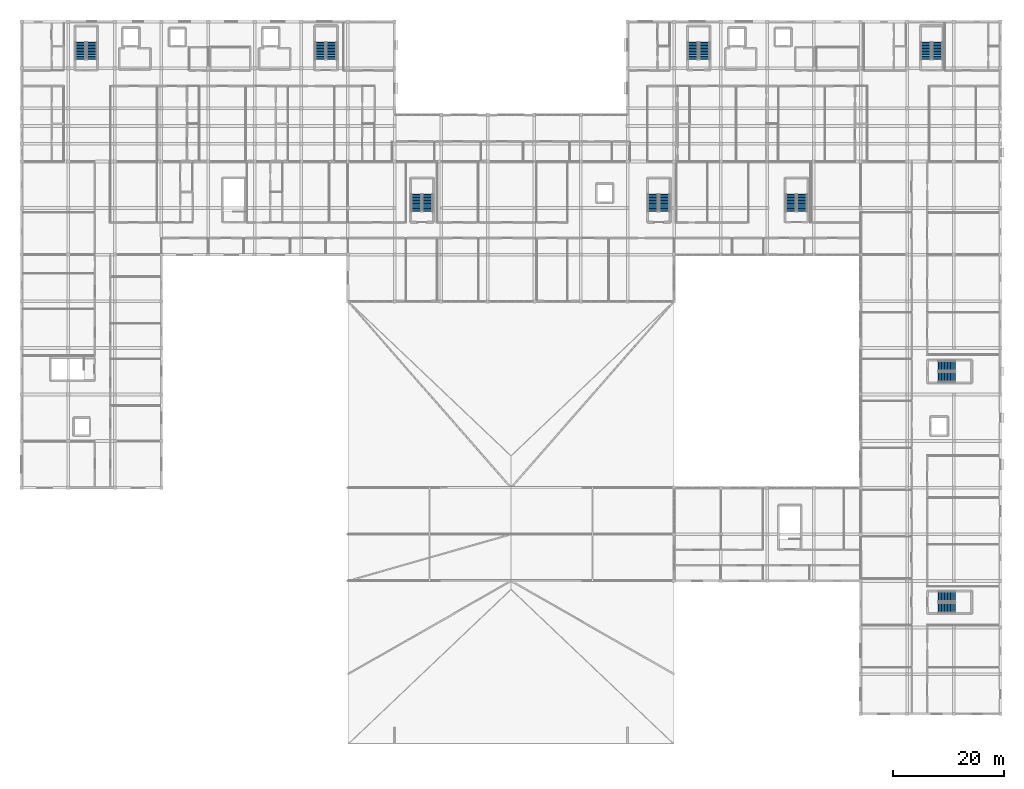
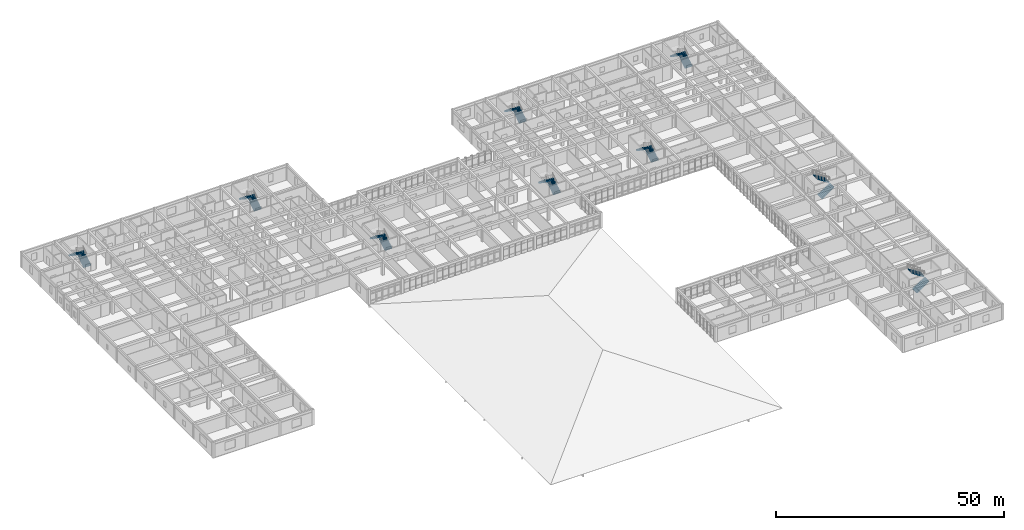
# One storey, part 63 of 77: 18 stair flights, 9 elements without a shape of their own.
"""IFC4 building model written with IfcOpenShell, lengths in metres."""

from ifc_helpers import new_model, si_unit, direction, frame, origin, place, context, subcontext, project, spatial, polyline, outline, extrude, material, type_object, element, aggregate, save


model = new_model("IFC4")

# Units and contexts
model_context = context("Model", 3, precision=1e-05, world=origin(), true_north=direction((0.0, 1.0)))
body_context = subcontext(model_context, "Body", "Model", "MODEL_VIEW")
ifc_project = project(units=[si_unit("LENGTHUNIT", "METRE"), si_unit("AREAUNIT", "SQUARE_METRE"), si_unit("VOLUMEUNIT", "CUBIC_METRE"), si_unit("PLANEANGLEUNIT", "RADIAN"), si_unit("MASSUNIT", "GRAM", prefix="KILO")], contexts=[model_context])

# Site, building, storey
site_placement = place(None, origin())
site = spatial("IfcSite", under=ifc_project, at=site_placement, CompositionType="ELEMENT")
building_placement = place(site_placement, origin())
building = spatial("IfcBuilding", under=site, at=building_placement, Name="Varncliffe General Hospital", CompositionType="ELEMENT")
storey_placement = place(building_placement, frame((0.0, 0.0, 16.199951171875)))
storey = spatial("IfcBuildingStorey", under=building, at=storey_placement, Name="L03", CompositionType="ELEMENT", Elevation=16.199951171875)

# Stair, stair flights
ifc_material = material(Name="Concrete C35/45 (CSA A23.1 35 MPa)", Category="concrete")
stair_type = type_object("IfcStairType", Name="Hospital Stair Assembly ST-T03 (1850w-4200h)", PredefinedType="TWO_STRAIGHT_RUN_STAIR", material=ifc_material)
stair_1_placement = place(storey_placement, origin())
stair_1 = element("IfcStair", 1, at=stair_1_placement, inside=storey, type_object=stair_type, Name="L03 North-West Ward Exit Stair 1", PredefinedType="TWO_STRAIGHT_RUN_STAIR")
stair_flight_type = type_object("IfcStairFlightType", Name="Hospital Stair Flight FL-T03 (1850w-4200h)", PredefinedType="STRAIGHT", material=ifc_material)
stair_flight_1_placement = place(storey_placement, frame((12.675048828125, 118.0, 0.0), z_axis=(0.0, 0.0, 1.0), x_axis=(0.0, 1.0, 0.0)))
stair_flight_1 = element("IfcStairFlight", 2, at=stair_flight_1_placement, type_object=stair_flight_type, Name="ST01 flight 1", NumberOfRisers=12, NumberOfTreads=11, PredefinedType="STRAIGHT", RiserHeight=0.175, TreadLength=0.28, context=body_context, shape_type="SweptSolid", body=[
    extrude(outline(polyline([(-0.02490234375, -0.14990234375), (-0.02490234375, 0.0), (0.0, 0.0), (0.0, 0.175048828125), (0.280029296875, 0.175048828125), (0.280029296875, 0.35009765625), (0.56005859375, 0.35009765625), (0.56005859375, 0.52490234375), (0.840087890625, 0.52490234375), (0.840087890625, 0.699951171875), (1.1201171875, 0.699951171875), (1.1201171875, 0.875), (1.39990234375, 0.875), (1.39990234375, 1.050048828125), (1.679931640625, 1.050048828125), (1.679931640625, 1.22509765625), (1.9599609375, 1.22509765625), (1.9599609375, 1.39990234375), (2.239990234375, 1.39990234375), (2.239990234375, 1.574951171875), (2.52001953125, 1.574951171875), (2.52001953125, 1.75), (2.800048828125, 1.75), (2.800048828125, 1.925048828125), (3.080078125, 1.925048828125), (3.080078125, 2.10009765625), (3.10498046875, 2.10009765625), (3.10498046875, 1.9501953125), (3.080078125, 1.748291015625), (0.28271484375, -0.14990234375), (-0.02490234375, -0.14990234375)])), frame((0.0, 0.925048828125, 0.0), z_axis=(0.0, -1.0, 0.0), x_axis=(1.0, 0.0, 0.0)), (0.0, 0.0, 1.0), 1.85009765625),
])
stair_flight_2_placement = place(storey_placement, frame((10.625, 121.080078125, 2.10009765625), z_axis=(0.0, 0.0, 1.0), x_axis=(0.0, -1.0, 0.0)))
stair_flight_2 = element("IfcStairFlight", 3, at=stair_flight_2_placement, type_object=stair_flight_type, Name="ST01 flight 2", NumberOfRisers=12, NumberOfTreads=11, PredefinedType="STRAIGHT", RiserHeight=0.175, TreadLength=0.28, context=body_context, shape_type="SweptSolid", body=[
    extrude(outline(polyline([(-0.02490234375, -0.14990234375), (-0.02490234375, 0.0), (0.0, 0.0), (0.0, 0.175048828125), (0.280029296875, 0.175048828125), (0.280029296875, 0.35009765625), (0.56005859375, 0.35009765625), (0.56005859375, 0.52490234375), (0.840087890625, 0.52490234375), (0.840087890625, 0.699951171875), (1.1201171875, 0.699951171875), (1.1201171875, 0.875), (1.39990234375, 0.875), (1.39990234375, 1.050048828125), (1.679931640625, 1.050048828125), (1.679931640625, 1.22509765625), (1.9599609375, 1.22509765625), (1.9599609375, 1.39990234375), (2.239990234375, 1.39990234375), (2.239990234375, 1.574951171875), (2.52001953125, 1.574951171875), (2.52001953125, 1.75), (2.800048828125, 1.75), (2.800048828125, 1.925048828125), (3.080078125, 1.925048828125), (3.080078125, 2.10009765625), (3.10498046875, 2.10009765625), (3.10498046875, 1.9501953125), (3.080078125, 1.748291015625), (0.28271484375, -0.14990234375), (-0.02490234375, -0.14990234375)])), frame((0.0, 0.925048828125, 0.0), z_axis=(0.0, -1.0, 0.0), x_axis=(1.0, 0.0, 0.0)), (0.0, 0.0, 1.0), 1.85009765625),
])
aggregate(stair_1, [stair_flight_1, stair_flight_2])

stair_2_placement = place(storey_placement, origin())
stair_2 = element("IfcStair", 4, at=stair_2_placement, inside=storey, type_object=stair_type, Name="L03 North-West Ward Exit Stair 2", PredefinedType="TWO_STRAIGHT_RUN_STAIR")
stair_flight_3_placement = place(storey_placement, frame((55.875, 118.0, 0.0), z_axis=(0.0, 0.0, 1.0), x_axis=(0.0, 1.0, 0.0)))
stair_flight_3 = element("IfcStairFlight", 5, at=stair_flight_3_placement, type_object=stair_flight_type, Name="ST02 flight 1", NumberOfRisers=12, NumberOfTreads=11, PredefinedType="STRAIGHT", RiserHeight=0.175, TreadLength=0.28, context=body_context, shape_type="SweptSolid", body=[
    extrude(outline(polyline([(-0.02490234375, -0.14990234375), (-0.02490234375, 0.0), (0.0, 0.0), (0.0, 0.175048828125), (0.280029296875, 0.175048828125), (0.280029296875, 0.35009765625), (0.56005859375, 0.35009765625), (0.56005859375, 0.52490234375), (0.840087890625, 0.52490234375), (0.840087890625, 0.699951171875), (1.1201171875, 0.699951171875), (1.1201171875, 0.875), (1.39990234375, 0.875), (1.39990234375, 1.050048828125), (1.679931640625, 1.050048828125), (1.679931640625, 1.22509765625), (1.9599609375, 1.22509765625), (1.9599609375, 1.39990234375), (2.239990234375, 1.39990234375), (2.239990234375, 1.574951171875), (2.52001953125, 1.574951171875), (2.52001953125, 1.75), (2.800048828125, 1.75), (2.800048828125, 1.925048828125), (3.080078125, 1.925048828125), (3.080078125, 2.10009765625), (3.10498046875, 2.10009765625), (3.10498046875, 1.9501953125), (3.080078125, 1.748291015625), (0.28271484375, -0.14990234375), (-0.02490234375, -0.14990234375)])), frame((0.0, 0.925048828125, 0.0), z_axis=(0.0, -1.0, 0.0), x_axis=(1.0, 0.0, 0.0)), (0.0, 0.0, 1.0), 1.85009765625),
])
stair_flight_4_placement = place(storey_placement, frame((53.824951171875, 121.080078125, 2.10009765625), z_axis=(0.0, 0.0, 1.0), x_axis=(0.0, -1.0, 0.0)))
stair_flight_4 = element("IfcStairFlight", 6, at=stair_flight_4_placement, type_object=stair_flight_type, Name="ST02 flight 2", NumberOfRisers=12, NumberOfTreads=11, PredefinedType="STRAIGHT", RiserHeight=0.175, TreadLength=0.28, context=body_context, shape_type="SweptSolid", body=[
    extrude(outline(polyline([(-0.02490234375, -0.14990234375), (-0.02490234375, 0.0), (0.0, 0.0), (0.0, 0.175048828125), (0.280029296875, 0.175048828125), (0.280029296875, 0.35009765625), (0.56005859375, 0.35009765625), (0.56005859375, 0.52490234375), (0.840087890625, 0.52490234375), (0.840087890625, 0.699951171875), (1.1201171875, 0.699951171875), (1.1201171875, 0.875), (1.39990234375, 0.875), (1.39990234375, 1.050048828125), (1.679931640625, 1.050048828125), (1.679931640625, 1.22509765625), (1.9599609375, 1.22509765625), (1.9599609375, 1.39990234375), (2.239990234375, 1.39990234375), (2.239990234375, 1.574951171875), (2.52001953125, 1.574951171875), (2.52001953125, 1.75), (2.800048828125, 1.75), (2.800048828125, 1.925048828125), (3.080078125, 1.925048828125), (3.080078125, 2.10009765625), (3.10498046875, 2.10009765625), (3.10498046875, 1.9501953125), (3.080078125, 1.748291015625), (0.28271484375, -0.14990234375), (-0.02490234375, -0.14990234375)])), frame((0.0, 0.925048828125, 0.0), z_axis=(0.0, -1.0, 0.0), x_axis=(1.0, 0.0, 0.0)), (0.0, 0.0, 1.0), 1.85009765625),
])
aggregate(stair_2, [stair_flight_3, stair_flight_4])

stair_3_placement = place(storey_placement, origin())
stair_3 = element("IfcStair", 7, at=stair_3_placement, inside=storey, type_object=stair_type, Name="L03 North-East Ward Exit Stair 3", PredefinedType="TWO_STRAIGHT_RUN_STAIR")
stair_flight_5_placement = place(storey_placement, frame((123.074951171875, 118.0, 0.0), z_axis=(0.0, 0.0, 1.0), x_axis=(0.0, 1.0, 0.0)))
stair_flight_5 = element("IfcStairFlight", 8, at=stair_flight_5_placement, type_object=stair_flight_type, Name="ST03 flight 1", NumberOfRisers=12, NumberOfTreads=11, PredefinedType="STRAIGHT", RiserHeight=0.175, TreadLength=0.28, context=body_context, shape_type="SweptSolid", body=[
    extrude(outline(polyline([(-0.02490234375, -0.14990234375), (-0.02490234375, 0.0), (0.0, 0.0), (0.0, 0.175048828125), (0.280029296875, 0.175048828125), (0.280029296875, 0.35009765625), (0.56005859375, 0.35009765625), (0.56005859375, 0.52490234375), (0.840087890625, 0.52490234375), (0.840087890625, 0.699951171875), (1.1201171875, 0.699951171875), (1.1201171875, 0.875), (1.39990234375, 0.875), (1.39990234375, 1.050048828125), (1.679931640625, 1.050048828125), (1.679931640625, 1.22509765625), (1.9599609375, 1.22509765625), (1.9599609375, 1.39990234375), (2.239990234375, 1.39990234375), (2.239990234375, 1.574951171875), (2.52001953125, 1.574951171875), (2.52001953125, 1.75), (2.800048828125, 1.75), (2.800048828125, 1.925048828125), (3.080078125, 1.925048828125), (3.080078125, 2.10009765625), (3.10498046875, 2.10009765625), (3.10498046875, 1.9501953125), (3.080078125, 1.748291015625), (0.28271484375, -0.14990234375), (-0.02490234375, -0.14990234375)])), frame((0.0, 0.925048828125, 0.0), z_axis=(0.0, -1.0, 0.0), x_axis=(1.0, 0.0, 0.0)), (0.0, 0.0, 1.0), 1.85009765625),
])
stair_flight_6_placement = place(storey_placement, frame((121.02490234375, 121.080078125, 2.10009765625), z_axis=(0.0, 0.0, 1.0), x_axis=(0.0, -1.0, 0.0)))
stair_flight_6 = element("IfcStairFlight", 9, at=stair_flight_6_placement, type_object=stair_flight_type, Name="ST03 flight 2", NumberOfRisers=12, NumberOfTreads=11, PredefinedType="STRAIGHT", RiserHeight=0.175, TreadLength=0.28, context=body_context, shape_type="SweptSolid", body=[
    extrude(outline(polyline([(-0.02490234375, -0.14990234375), (-0.02490234375, 0.0), (0.0, 0.0), (0.0, 0.175048828125), (0.280029296875, 0.175048828125), (0.280029296875, 0.35009765625), (0.56005859375, 0.35009765625), (0.56005859375, 0.52490234375), (0.840087890625, 0.52490234375), (0.840087890625, 0.699951171875), (1.1201171875, 0.699951171875), (1.1201171875, 0.875), (1.39990234375, 0.875), (1.39990234375, 1.050048828125), (1.679931640625, 1.050048828125), (1.679931640625, 1.22509765625), (1.9599609375, 1.22509765625), (1.9599609375, 1.39990234375), (2.239990234375, 1.39990234375), (2.239990234375, 1.574951171875), (2.52001953125, 1.574951171875), (2.52001953125, 1.75), (2.800048828125, 1.75), (2.800048828125, 1.925048828125), (3.080078125, 1.925048828125), (3.080078125, 2.10009765625), (3.10498046875, 2.10009765625), (3.10498046875, 1.9501953125), (3.080078125, 1.748291015625), (0.28271484375, -0.14990234375), (-0.02490234375, -0.14990234375)])), frame((0.0, 0.925048828125, 0.0), z_axis=(0.0, -1.0, 0.0), x_axis=(1.0, 0.0, 0.0)), (0.0, 0.0, 1.0), 1.85009765625),
])
aggregate(stair_3, [stair_flight_5, stair_flight_6])

stair_4_placement = place(storey_placement, origin())
stair_4 = element("IfcStair", 10, at=stair_4_placement, inside=storey, type_object=stair_type, Name="L03 North-East Ward Exit Stair 4", PredefinedType="TWO_STRAIGHT_RUN_STAIR")
stair_flight_7_placement = place(storey_placement, frame((165.074951171875, 118.0, 0.0), z_axis=(0.0, 0.0, 1.0), x_axis=(0.0, 1.0, 0.0)))
stair_flight_7 = element("IfcStairFlight", 11, at=stair_flight_7_placement, type_object=stair_flight_type, Name="ST04 flight 1", NumberOfRisers=12, NumberOfTreads=11, PredefinedType="STRAIGHT", RiserHeight=0.175, TreadLength=0.28, context=body_context, shape_type="SweptSolid", body=[
    extrude(outline(polyline([(-0.02490234375, -0.14990234375), (-0.02490234375, 0.0), (0.0, 0.0), (0.0, 0.175048828125), (0.280029296875, 0.175048828125), (0.280029296875, 0.35009765625), (0.56005859375, 0.35009765625), (0.56005859375, 0.52490234375), (0.840087890625, 0.52490234375), (0.840087890625, 0.699951171875), (1.1201171875, 0.699951171875), (1.1201171875, 0.875), (1.39990234375, 0.875), (1.39990234375, 1.050048828125), (1.679931640625, 1.050048828125), (1.679931640625, 1.22509765625), (1.9599609375, 1.22509765625), (1.9599609375, 1.39990234375), (2.239990234375, 1.39990234375), (2.239990234375, 1.574951171875), (2.52001953125, 1.574951171875), (2.52001953125, 1.75), (2.800048828125, 1.75), (2.800048828125, 1.925048828125), (3.080078125, 1.925048828125), (3.080078125, 2.10009765625), (3.10498046875, 2.10009765625), (3.10498046875, 1.9501953125), (3.080078125, 1.748291015625), (0.28271484375, -0.14990234375), (-0.02490234375, -0.14990234375)])), frame((0.0, 0.925048828125, 0.0), z_axis=(0.0, -1.0, 0.0), x_axis=(1.0, 0.0, 0.0)), (0.0, 0.0, 1.0), 1.85009765625),
])
stair_flight_8_placement = place(storey_placement, frame((163.02490234375, 121.080078125, 2.10009765625), z_axis=(0.0, 0.0, 1.0), x_axis=(0.0, -1.0, 0.0)))
stair_flight_8 = element("IfcStairFlight", 12, at=stair_flight_8_placement, type_object=stair_flight_type, Name="ST04 flight 2", NumberOfRisers=12, NumberOfTreads=11, PredefinedType="STRAIGHT", RiserHeight=0.175, TreadLength=0.28, context=body_context, shape_type="SweptSolid", body=[
    extrude(outline(polyline([(-0.02490234375, -0.14990234375), (-0.02490234375, 0.0), (0.0, 0.0), (0.0, 0.175048828125), (0.280029296875, 0.175048828125), (0.280029296875, 0.35009765625), (0.56005859375, 0.35009765625), (0.56005859375, 0.52490234375), (0.840087890625, 0.52490234375), (0.840087890625, 0.699951171875), (1.1201171875, 0.699951171875), (1.1201171875, 0.875), (1.39990234375, 0.875), (1.39990234375, 1.050048828125), (1.679931640625, 1.050048828125), (1.679931640625, 1.22509765625), (1.9599609375, 1.22509765625), (1.9599609375, 1.39990234375), (2.239990234375, 1.39990234375), (2.239990234375, 1.574951171875), (2.52001953125, 1.574951171875), (2.52001953125, 1.75), (2.800048828125, 1.75), (2.800048828125, 1.925048828125), (3.080078125, 1.925048828125), (3.080078125, 2.10009765625), (3.10498046875, 2.10009765625), (3.10498046875, 1.9501953125), (3.080078125, 1.748291015625), (0.28271484375, -0.14990234375), (-0.02490234375, -0.14990234375)])), frame((0.0, 0.925048828125, 0.0), z_axis=(0.0, -1.0, 0.0), x_axis=(1.0, 0.0, 0.0)), (0.0, 0.0, 1.0), 1.85009765625),
])
aggregate(stair_4, [stair_flight_7, stair_flight_8])

stair_5_placement = place(storey_placement, origin())
stair_5 = element("IfcStair", 13, at=stair_5_placement, inside=storey, type_object=stair_type, Name="L03 Surgical and Helipad Exit Stair 6", PredefinedType="TWO_STRAIGHT_RUN_STAIR")
stair_flight_9_placement = place(storey_placement, frame((115.875, 90.60009765625, 0.0), z_axis=(0.0, 0.0, 1.0), x_axis=(0.0, 1.0, 0.0)))
stair_flight_9 = element("IfcStairFlight", 14, at=stair_flight_9_placement, type_object=stair_flight_type, Name="ST06 flight 1", NumberOfRisers=12, NumberOfTreads=11, PredefinedType="STRAIGHT", RiserHeight=0.175, TreadLength=0.28, context=body_context, shape_type="SweptSolid", body=[
    extrude(outline(polyline([(-0.02490234375, -0.14990234375), (-0.02490234375, 0.0), (0.0, 0.0), (0.0, 0.175048828125), (0.280029296875, 0.175048828125), (0.280029296875, 0.35009765625), (0.56005859375, 0.35009765625), (0.56005859375, 0.52490234375), (0.840087890625, 0.52490234375), (0.840087890625, 0.699951171875), (1.1201171875, 0.699951171875), (1.1201171875, 0.875), (1.39990234375, 0.875), (1.39990234375, 1.050048828125), (1.679931640625, 1.050048828125), (1.679931640625, 1.22509765625), (1.9599609375, 1.22509765625), (1.9599609375, 1.39990234375), (2.239990234375, 1.39990234375), (2.239990234375, 1.574951171875), (2.52001953125, 1.574951171875), (2.52001953125, 1.75), (2.800048828125, 1.75), (2.800048828125, 1.925048828125), (3.080078125, 1.925048828125), (3.080078125, 2.10009765625), (3.10498046875, 2.10009765625), (3.10498046875, 1.9501953125), (3.080078125, 1.748291015625), (0.28271484375, -0.14990234375), (-0.02490234375, -0.14990234375)])), frame((0.0, 0.925048828125, 0.0), z_axis=(0.0, -1.0, 0.0), x_axis=(1.0, 0.0, 0.0)), (0.0, 0.0, 1.0), 1.85009765625),
])
stair_flight_10_placement = place(storey_placement, frame((113.824951171875, 93.679931640625, 2.10009765625), z_axis=(0.0, 0.0, 1.0), x_axis=(0.0, -1.0, 0.0)))
stair_flight_10 = element("IfcStairFlight", 15, at=stair_flight_10_placement, type_object=stair_flight_type, Name="ST06 flight 2", NumberOfRisers=12, NumberOfTreads=11, PredefinedType="STRAIGHT", RiserHeight=0.175, TreadLength=0.28, context=body_context, shape_type="SweptSolid", body=[
    extrude(outline(polyline([(-0.02490234375, -0.14990234375), (-0.02490234375, 0.0), (0.0, 0.0), (0.0, 0.175048828125), (0.280029296875, 0.175048828125), (0.280029296875, 0.35009765625), (0.56005859375, 0.35009765625), (0.56005859375, 0.52490234375), (0.840087890625, 0.52490234375), (0.840087890625, 0.699951171875), (1.1201171875, 0.699951171875), (1.1201171875, 0.875), (1.39990234375, 0.875), (1.39990234375, 1.050048828125), (1.679931640625, 1.050048828125), (1.679931640625, 1.22509765625), (1.9599609375, 1.22509765625), (1.9599609375, 1.39990234375), (2.239990234375, 1.39990234375), (2.239990234375, 1.574951171875), (2.52001953125, 1.574951171875), (2.52001953125, 1.75), (2.800048828125, 1.75), (2.800048828125, 1.925048828125), (3.080078125, 1.925048828125), (3.080078125, 2.10009765625), (3.10498046875, 2.10009765625), (3.10498046875, 1.9501953125), (3.080078125, 1.748291015625), (0.28271484375, -0.14990234375), (-0.02490234375, -0.14990234375)])), frame((0.0, 0.925048828125, 0.0), z_axis=(0.0, -1.0, 0.0), x_axis=(1.0, 0.0, 0.0)), (0.0, 0.0, 1.0), 1.85009765625),
])
aggregate(stair_5, [stair_flight_9, stair_flight_10])

stair_6_placement = place(storey_placement, origin())
stair_6 = element("IfcStair", 16, at=stair_6_placement, inside=storey, type_object=stair_type, Name="L03 Outpatient East Exit Stair 7", PredefinedType="TWO_STRAIGHT_RUN_STAIR")
stair_flight_11_placement = place(storey_placement, frame((165.199951171875, 60.72509765625, 0.0), z_axis=(0.0, 0.0, 1.0), x_axis=(1.0, 0.0, 0.0)))
stair_flight_11 = element("IfcStairFlight", 17, at=stair_flight_11_placement, type_object=stair_flight_type, Name="ST07 flight 1", NumberOfRisers=12, NumberOfTreads=11, PredefinedType="STRAIGHT", RiserHeight=0.175, TreadLength=0.28, context=body_context, shape_type="SweptSolid", body=[
    extrude(outline(polyline([(-0.02490234375, -0.14990234375), (-0.02490234375, 0.0), (0.0, 0.0), (0.0, 0.175048828125), (0.280029296875, 0.175048828125), (0.280029296875, 0.35009765625), (0.56005859375, 0.35009765625), (0.56005859375, 0.52490234375), (0.840087890625, 0.52490234375), (0.840087890625, 0.699951171875), (1.1201171875, 0.699951171875), (1.1201171875, 0.875), (1.39990234375, 0.875), (1.39990234375, 1.050048828125), (1.679931640625, 1.050048828125), (1.679931640625, 1.22509765625), (1.9599609375, 1.22509765625), (1.9599609375, 1.39990234375), (2.239990234375, 1.39990234375), (2.239990234375, 1.574951171875), (2.52001953125, 1.574951171875), (2.52001953125, 1.75), (2.800048828125, 1.75), (2.800048828125, 1.925048828125), (3.080078125, 1.925048828125), (3.080078125, 2.10009765625), (3.10498046875, 2.10009765625), (3.10498046875, 1.9501953125), (3.080078125, 1.748291015625), (0.28271484375, -0.14990234375), (-0.02490234375, -0.14990234375)])), frame((0.0, 0.925048828125, 0.0), z_axis=(0.0, -1.0, 0.0), x_axis=(1.0, 0.0, 0.0)), (0.0, 0.0, 1.0), 1.85009765625),
])
stair_flight_12_placement = place(storey_placement, frame((168.280029296875, 62.77490234375, 2.10009765625), z_axis=(0.0, 0.0, 1.0), x_axis=(-1.0, 0.0, 0.0)))
stair_flight_12 = element("IfcStairFlight", 18, at=stair_flight_12_placement, type_object=stair_flight_type, Name="ST07 flight 2", NumberOfRisers=12, NumberOfTreads=11, PredefinedType="STRAIGHT", RiserHeight=0.175, TreadLength=0.28, context=body_context, shape_type="SweptSolid", body=[
    extrude(outline(polyline([(-0.02490234375, -0.14990234375), (-0.02490234375, 0.0), (0.0, 0.0), (0.0, 0.175048828125), (0.280029296875, 0.175048828125), (0.280029296875, 0.35009765625), (0.56005859375, 0.35009765625), (0.56005859375, 0.52490234375), (0.840087890625, 0.52490234375), (0.840087890625, 0.699951171875), (1.1201171875, 0.699951171875), (1.1201171875, 0.875), (1.39990234375, 0.875), (1.39990234375, 1.050048828125), (1.679931640625, 1.050048828125), (1.679931640625, 1.22509765625), (1.9599609375, 1.22509765625), (1.9599609375, 1.39990234375), (2.239990234375, 1.39990234375), (2.239990234375, 1.574951171875), (2.52001953125, 1.574951171875), (2.52001953125, 1.75), (2.800048828125, 1.75), (2.800048828125, 1.925048828125), (3.080078125, 1.925048828125), (3.080078125, 2.10009765625), (3.10498046875, 2.10009765625), (3.10498046875, 1.9501953125), (3.080078125, 1.748291015625), (0.28271484375, -0.14990234375), (-0.02490234375, -0.14990234375)])), frame((0.0, 0.925048828125, 0.0), z_axis=(0.0, -1.0, 0.0), x_axis=(1.0, 0.0, 0.0)), (0.0, 0.0, 1.0), 1.85009765625),
])
aggregate(stair_6, [stair_flight_11, stair_flight_12])

stair_7_placement = place(storey_placement, origin())
stair_7 = element("IfcStair", 19, at=stair_7_placement, inside=storey, type_object=stair_type, Name="L03 Outpatient South-East Exit Stair 11", PredefinedType="TWO_STRAIGHT_RUN_STAIR")
stair_flight_13_placement = place(storey_placement, frame((165.199951171875, 19.125, 0.0), z_axis=(0.0, 0.0, 1.0), x_axis=(1.0, 0.0, 0.0)))
stair_flight_13 = element("IfcStairFlight", 20, at=stair_flight_13_placement, type_object=stair_flight_type, Name="ST11 flight 1", NumberOfRisers=12, NumberOfTreads=11, PredefinedType="STRAIGHT", RiserHeight=0.175, TreadLength=0.28, context=body_context, shape_type="SweptSolid", body=[
    extrude(outline(polyline([(-0.02490234375, -0.14990234375), (-0.02490234375, 0.0), (0.0, 0.0), (0.0, 0.175048828125), (0.280029296875, 0.175048828125), (0.280029296875, 0.35009765625), (0.56005859375, 0.35009765625), (0.56005859375, 0.52490234375), (0.840087890625, 0.52490234375), (0.840087890625, 0.699951171875), (1.1201171875, 0.699951171875), (1.1201171875, 0.875), (1.39990234375, 0.875), (1.39990234375, 1.050048828125), (1.679931640625, 1.050048828125), (1.679931640625, 1.22509765625), (1.9599609375, 1.22509765625), (1.9599609375, 1.39990234375), (2.239990234375, 1.39990234375), (2.239990234375, 1.574951171875), (2.52001953125, 1.574951171875), (2.52001953125, 1.75), (2.800048828125, 1.75), (2.800048828125, 1.925048828125), (3.080078125, 1.925048828125), (3.080078125, 2.10009765625), (3.10498046875, 2.10009765625), (3.10498046875, 1.9501953125), (3.080078125, 1.748291015625), (0.28271484375, -0.14990234375), (-0.02490234375, -0.14990234375)])), frame((0.0, 0.925048828125, 0.0), z_axis=(0.0, -1.0, 0.0), x_axis=(1.0, 0.0, 0.0)), (0.0, 0.0, 1.0), 1.85009765625),
])
stair_flight_14_placement = place(storey_placement, frame((168.280029296875, 21.175048828125, 2.10009765625), z_axis=(0.0, 0.0, 1.0), x_axis=(-1.0, 0.0, 0.0)))
stair_flight_14 = element("IfcStairFlight", 21, at=stair_flight_14_placement, type_object=stair_flight_type, Name="ST11 flight 2", NumberOfRisers=12, NumberOfTreads=11, PredefinedType="STRAIGHT", RiserHeight=0.175, TreadLength=0.28, context=body_context, shape_type="SweptSolid", body=[
    extrude(outline(polyline([(-0.02490234375, -0.14990234375), (-0.02490234375, 0.0), (0.0, 0.0), (0.0, 0.175048828125), (0.280029296875, 0.175048828125), (0.280029296875, 0.35009765625), (0.56005859375, 0.35009765625), (0.56005859375, 0.52490234375), (0.840087890625, 0.52490234375), (0.840087890625, 0.699951171875), (1.1201171875, 0.699951171875), (1.1201171875, 0.875), (1.39990234375, 0.875), (1.39990234375, 1.050048828125), (1.679931640625, 1.050048828125), (1.679931640625, 1.22509765625), (1.9599609375, 1.22509765625), (1.9599609375, 1.39990234375), (2.239990234375, 1.39990234375), (2.239990234375, 1.574951171875), (2.52001953125, 1.574951171875), (2.52001953125, 1.75), (2.800048828125, 1.75), (2.800048828125, 1.925048828125), (3.080078125, 1.925048828125), (3.080078125, 2.10009765625), (3.10498046875, 2.10009765625), (3.10498046875, 1.9501953125), (3.080078125, 1.748291015625), (0.28271484375, -0.14990234375), (-0.02490234375, -0.14990234375)])), frame((0.0, 0.925048828125, 0.0), z_axis=(0.0, -1.0, 0.0), x_axis=(1.0, 0.0, 0.0)), (0.0, 0.0, 1.0), 1.85009765625),
])
aggregate(stair_7, [stair_flight_13, stair_flight_14])

stair_8_placement = place(storey_placement, origin())
stair_8 = element("IfcStair", 22, at=stair_8_placement, inside=storey, type_object=stair_type, Name="L03 Surgical West Exit Stair 12", PredefinedType="TWO_STRAIGHT_RUN_STAIR")
stair_flight_15_placement = place(storey_placement, frame((73.175048828125, 90.60009765625, 0.0), z_axis=(0.0, 0.0, 1.0), x_axis=(0.0, 1.0, 0.0)))
stair_flight_15 = element("IfcStairFlight", 23, at=stair_flight_15_placement, type_object=stair_flight_type, Name="ST12 flight 1", NumberOfRisers=12, NumberOfTreads=11, PredefinedType="STRAIGHT", RiserHeight=0.175, TreadLength=0.28, context=body_context, shape_type="SweptSolid", body=[
    extrude(outline(polyline([(-0.02490234375, -0.14990234375), (-0.02490234375, 0.0), (0.0, 0.0), (0.0, 0.175048828125), (0.280029296875, 0.175048828125), (0.280029296875, 0.35009765625), (0.56005859375, 0.35009765625), (0.56005859375, 0.52490234375), (0.840087890625, 0.52490234375), (0.840087890625, 0.699951171875), (1.1201171875, 0.699951171875), (1.1201171875, 0.875), (1.39990234375, 0.875), (1.39990234375, 1.050048828125), (1.679931640625, 1.050048828125), (1.679931640625, 1.22509765625), (1.9599609375, 1.22509765625), (1.9599609375, 1.39990234375), (2.239990234375, 1.39990234375), (2.239990234375, 1.574951171875), (2.52001953125, 1.574951171875), (2.52001953125, 1.75), (2.800048828125, 1.75), (2.800048828125, 1.925048828125), (3.080078125, 1.925048828125), (3.080078125, 2.10009765625), (3.10498046875, 2.10009765625), (3.10498046875, 1.9501953125), (3.080078125, 1.748291015625), (0.28271484375, -0.14990234375), (-0.02490234375, -0.14990234375)])), frame((0.0, 0.925048828125, 0.0), z_axis=(0.0, -1.0, 0.0), x_axis=(1.0, 0.0, 0.0)), (0.0, 0.0, 1.0), 1.85009765625),
])
stair_flight_16_placement = place(storey_placement, frame((71.125, 93.679931640625, 2.10009765625), z_axis=(0.0, 0.0, 1.0), x_axis=(0.0, -1.0, 0.0)))
stair_flight_16 = element("IfcStairFlight", 24, at=stair_flight_16_placement, type_object=stair_flight_type, Name="ST12 flight 2", NumberOfRisers=12, NumberOfTreads=11, PredefinedType="STRAIGHT", RiserHeight=0.175, TreadLength=0.28, context=body_context, shape_type="SweptSolid", body=[
    extrude(outline(polyline([(-0.02490234375, -0.14990234375), (-0.02490234375, 0.0), (0.0, 0.0), (0.0, 0.175048828125), (0.280029296875, 0.175048828125), (0.280029296875, 0.35009765625), (0.56005859375, 0.35009765625), (0.56005859375, 0.52490234375), (0.840087890625, 0.52490234375), (0.840087890625, 0.699951171875), (1.1201171875, 0.699951171875), (1.1201171875, 0.875), (1.39990234375, 0.875), (1.39990234375, 1.050048828125), (1.679931640625, 1.050048828125), (1.679931640625, 1.22509765625), (1.9599609375, 1.22509765625), (1.9599609375, 1.39990234375), (2.239990234375, 1.39990234375), (2.239990234375, 1.574951171875), (2.52001953125, 1.574951171875), (2.52001953125, 1.75), (2.800048828125, 1.75), (2.800048828125, 1.925048828125), (3.080078125, 1.925048828125), (3.080078125, 2.10009765625), (3.10498046875, 2.10009765625), (3.10498046875, 1.9501953125), (3.080078125, 1.748291015625), (0.28271484375, -0.14990234375), (-0.02490234375, -0.14990234375)])), frame((0.0, 0.925048828125, 0.0), z_axis=(0.0, -1.0, 0.0), x_axis=(1.0, 0.0, 0.0)), (0.0, 0.0, 1.0), 1.85009765625),
])
aggregate(stair_8, [stair_flight_15, stair_flight_16])

stair_9_placement = place(storey_placement, origin())
stair_9 = element("IfcStair", 25, at=stair_9_placement, inside=storey, type_object=stair_type, Name="L03 East-Central Clinical Exit Stair 14", PredefinedType="TWO_STRAIGHT_RUN_STAIR")
stair_flight_17_placement = place(storey_placement, frame((140.675048828125, 90.60009765625, 0.0), z_axis=(0.0, 0.0, 1.0), x_axis=(0.0, 1.0, 0.0)))
stair_flight_17 = element("IfcStairFlight", 26, at=stair_flight_17_placement, type_object=stair_flight_type, Name="ST14 flight 1", NumberOfRisers=12, NumberOfTreads=11, PredefinedType="STRAIGHT", RiserHeight=0.175, TreadLength=0.28, context=body_context, shape_type="SweptSolid", body=[
    extrude(outline(polyline([(-0.02490234375, -0.14990234375), (-0.02490234375, 0.0), (0.0, 0.0), (0.0, 0.175048828125), (0.280029296875, 0.175048828125), (0.280029296875, 0.35009765625), (0.56005859375, 0.35009765625), (0.56005859375, 0.52490234375), (0.840087890625, 0.52490234375), (0.840087890625, 0.699951171875), (1.1201171875, 0.699951171875), (1.1201171875, 0.875), (1.39990234375, 0.875), (1.39990234375, 1.050048828125), (1.679931640625, 1.050048828125), (1.679931640625, 1.22509765625), (1.9599609375, 1.22509765625), (1.9599609375, 1.39990234375), (2.239990234375, 1.39990234375), (2.239990234375, 1.574951171875), (2.52001953125, 1.574951171875), (2.52001953125, 1.75), (2.800048828125, 1.75), (2.800048828125, 1.925048828125), (3.080078125, 1.925048828125), (3.080078125, 2.10009765625), (3.10498046875, 2.10009765625), (3.10498046875, 1.9501953125), (3.080078125, 1.748291015625), (0.28271484375, -0.14990234375), (-0.02490234375, -0.14990234375)])), frame((0.0, 0.925048828125, 0.0), z_axis=(0.0, -1.0, 0.0), x_axis=(1.0, 0.0, 0.0)), (0.0, 0.0, 1.0), 1.85009765625),
])
stair_flight_18_placement = place(storey_placement, frame((138.625, 93.679931640625, 2.10009765625), z_axis=(0.0, 0.0, 1.0), x_axis=(0.0, -1.0, 0.0)))
stair_flight_18 = element("IfcStairFlight", 27, at=stair_flight_18_placement, type_object=stair_flight_type, Name="ST14 flight 2", NumberOfRisers=12, NumberOfTreads=11, PredefinedType="STRAIGHT", RiserHeight=0.175, TreadLength=0.28, context=body_context, shape_type="SweptSolid", body=[
    extrude(outline(polyline([(-0.02490234375, -0.14990234375), (-0.02490234375, 0.0), (0.0, 0.0), (0.0, 0.175048828125), (0.280029296875, 0.175048828125), (0.280029296875, 0.35009765625), (0.56005859375, 0.35009765625), (0.56005859375, 0.52490234375), (0.840087890625, 0.52490234375), (0.840087890625, 0.699951171875), (1.1201171875, 0.699951171875), (1.1201171875, 0.875), (1.39990234375, 0.875), (1.39990234375, 1.050048828125), (1.679931640625, 1.050048828125), (1.679931640625, 1.22509765625), (1.9599609375, 1.22509765625), (1.9599609375, 1.39990234375), (2.239990234375, 1.39990234375), (2.239990234375, 1.574951171875), (2.52001953125, 1.574951171875), (2.52001953125, 1.75), (2.800048828125, 1.75), (2.800048828125, 1.925048828125), (3.080078125, 1.925048828125), (3.080078125, 2.10009765625), (3.10498046875, 2.10009765625), (3.10498046875, 1.9501953125), (3.080078125, 1.748291015625), (0.28271484375, -0.14990234375), (-0.02490234375, -0.14990234375)])), frame((0.0, 0.925048828125, 0.0), z_axis=(0.0, -1.0, 0.0), x_axis=(1.0, 0.0, 0.0)), (0.0, 0.0, 1.0), 1.85009765625),
])
aggregate(stair_9, [stair_flight_17, stair_flight_18])

save(model, "model.ifc")
